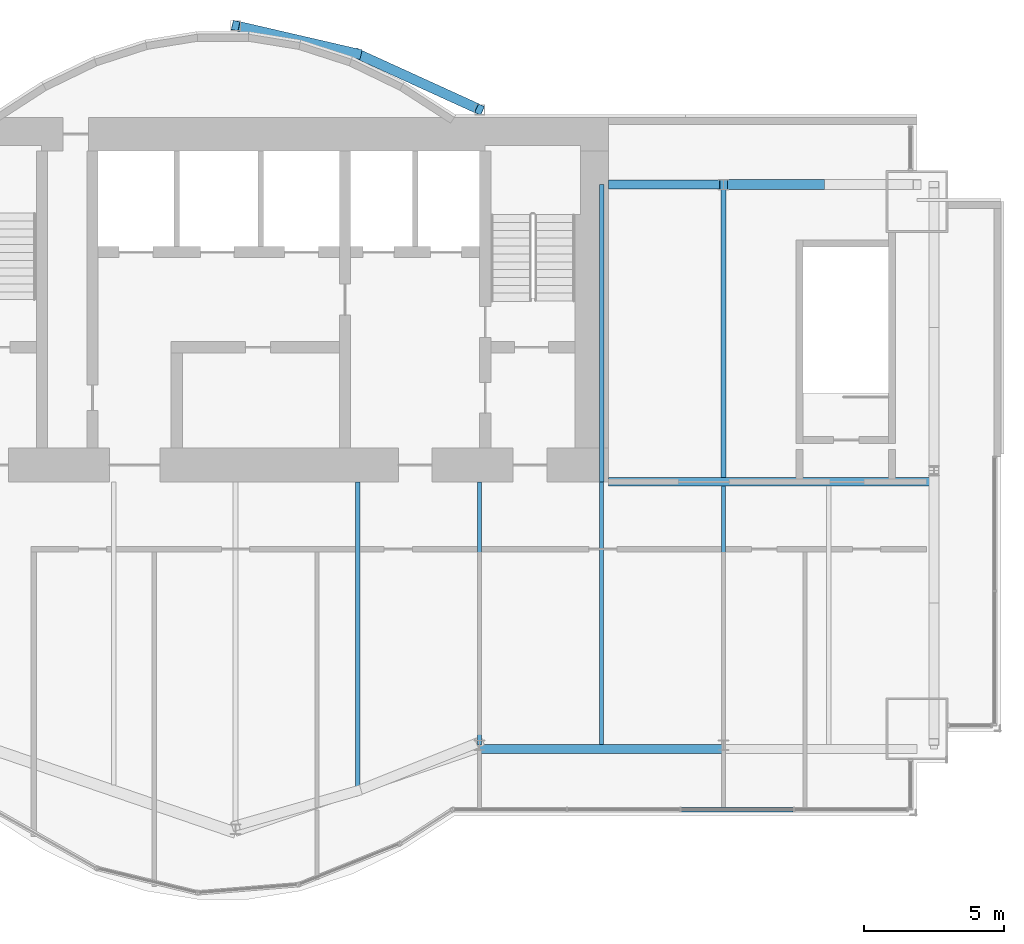
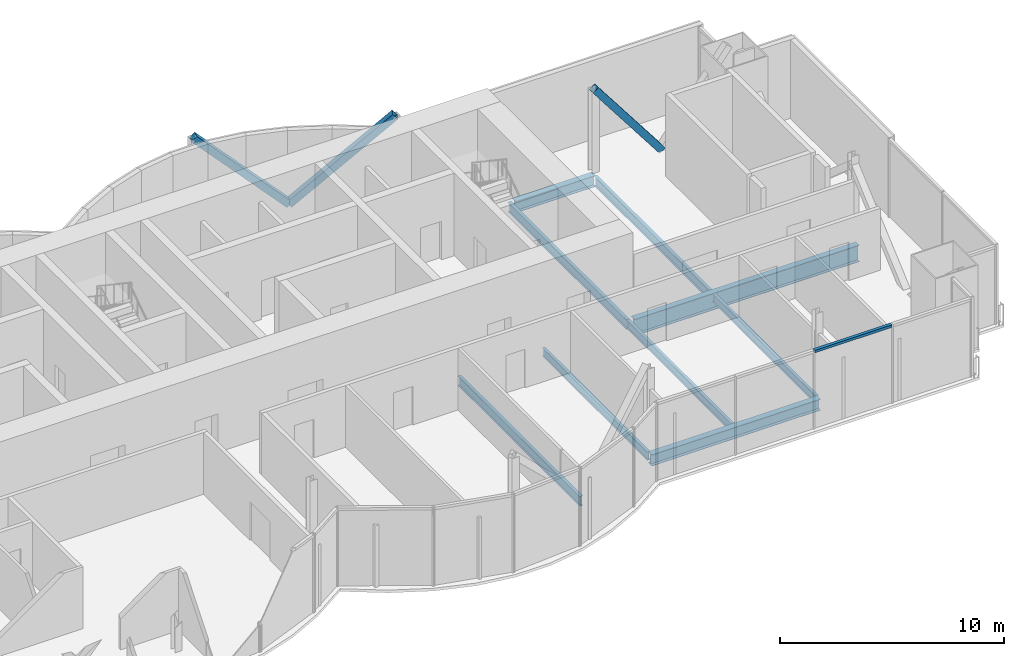
# One storey, part 7 of 16: 9 beams, 4 members, 1 element without a shape of its own.
"""IFC4 building model written with IfcOpenShell, lengths in metres."""

from ifc_helpers import new_model, si_unit, direction, frame, origin, origin_2d, place, context, subcontext, project, spatial, rectangle, hollow_rectangle, i_section, extrude, material, material_profile, profile_set, type_object, element, aggregate, save


model = new_model("IFC4")

# Units and contexts
model_context = context("Model", 3, precision=1e-05, world=origin(), true_north=direction((0.0, 1.0)))
body_context = subcontext(model_context, "Body", "Model", "MODEL_VIEW")
ifc_project = project(units=[si_unit("LENGTHUNIT", "METRE"), si_unit("AREAUNIT", "SQUARE_METRE"), si_unit("VOLUMEUNIT", "CUBIC_METRE"), si_unit("PLANEANGLEUNIT", "RADIAN"), si_unit("MASSUNIT", "GRAM", prefix="KILO")], contexts=[model_context])

# Site, building, storey
site_placement = place(None, origin())
site = spatial("IfcSite", under=ifc_project, at=site_placement, CompositionType="ELEMENT")
building_placement = place(site_placement, origin())
building = spatial("IfcBuilding", under=site, at=building_placement, Name="Bicima Exchange Tower", CompositionType="ELEMENT")
storey_placement = place(building_placement, frame((0.0, 0.0, 338.0)))
storey = spatial("IfcBuildingStorey", under=building, at=storey_placement, Name="L76", CompositionType="ELEMENT", Elevation=338.0)

# Beams
ifc_material_1 = material(Name="Steel ASTM A992 Gr 50", Category="steel")
ifc_material_profile_1 = material_profile(ifc_material_1, i_section(OverallWidth=0.3046875, OverallDepth=0.911865234375, WebThickness=0.015869140625, FlangeThickness=0.02392578125, at=origin_2d()))
ifc_profile_set_1 = profile_set([ifc_material_profile_1], Name="Steel ASTM A992 Gr 50")
beam_type_1 = type_object("IfcBeamType", Name="Core-line girder W36x150", PredefinedType="BEAM", material=ifc_profile_set_1)
beam_1_placement = place(storey_placement, frame((22.0, -13.0, -0.60595703125), z_axis=(1.0, 0.0, 0.0), x_axis=(0.0, 1.0, 0.0)))
element("IfcBeam", 1, at=beam_1_placement, inside=storey, type_object=beam_type_1, Name="Core-line girder", PredefinedType="BEAM", context=body_context, shape_type="SweptSolid", body=[
    extrude(i_section(OverallWidth=0.3046875, OverallDepth=0.911865234375, WebThickness=0.015869140625, FlangeThickness=0.02392578125, at=origin_2d()), origin(), (0.0, 0.0, 1.0), 11.60009765625),
])
ifc_material_profile_2 = material_profile(ifc_material_1, i_section(OverallWidth=0.15283203125, OverallDepth=0.45458984375, WebThickness=0.008056640625, FlangeThickness=0.013427734375, at=origin_2d()))
ifc_profile_set_2 = profile_set([ifc_material_profile_2], Name="Steel ASTM A992 Gr 50")
beam_type_2 = type_object("IfcBeamType", Name="Floor beam W18x40", PredefinedType="JOIST", material=ifc_profile_set_2)
beam_2_placement = place(storey_placement, frame((17.39990234375, -13.0, -0.377197265625), z_axis=(0.0, -1.0, 0.0), x_axis=(1.0, 0.0, 0.0)))
element("IfcBeam", 2, at=beam_2_placement, inside=storey, type_object=beam_type_2, Name="Floor beam", PredefinedType="JOIST", context=body_context, shape_type="SweptSolid", body=[
    extrude(i_section(OverallWidth=0.15283203125, OverallDepth=0.45458984375, WebThickness=0.008056640625, FlangeThickness=0.013427734375, at=origin_2d()), origin(), (0.0, 0.0, 1.0), 9.384521484375),
])
beam_3_placement = place(storey_placement, frame((21.75, -13.0, -0.377197265625), z_axis=(0.0, -1.0, 0.0), x_axis=(1.0, 0.0, 0.0)))
element("IfcBeam", 3, at=beam_3_placement, inside=storey, type_object=beam_type_2, Name="Floor beam", PredefinedType="JOIST", context=body_context, shape_type="SweptSolid", body=[
    extrude(i_section(OverallWidth=0.15283203125, OverallDepth=0.45458984375, WebThickness=0.008056640625, FlangeThickness=0.013427734375, at=origin_2d()), origin(), (0.0, 0.0, 1.0), 9.357421875),
])
beam_4_placement = place(storey_placement, frame((26.10009765625, -13.15234375, -0.377197265625), z_axis=(0.0, -1.0, 0.0), x_axis=(1.0, 0.0, 0.0)))
element("IfcBeam", 4, at=beam_4_placement, inside=storey, type_object=beam_type_2, Name="Floor beam", PredefinedType="JOIST", context=body_context, shape_type="SweptSolid", body=[
    extrude(i_section(OverallWidth=0.15283203125, OverallDepth=0.45458984375, WebThickness=0.008056640625, FlangeThickness=0.013427734375, at=origin_2d()), origin(), (0.0, 0.0, 1.0), 9.205078125),
])
ifc_material_profile_3 = material_profile(ifc_material_1, i_section(OverallWidth=0.165771484375, OverallDepth=0.5283203125, WebThickness=0.009765625, FlangeThickness=0.013671875, at=origin_2d()))
ifc_profile_set_3 = profile_set([ifc_material_profile_3], Name="Steel ASTM A992 Gr 50")
beam_type_3 = type_object("IfcBeamType", Name="Floor beam W21x50", PredefinedType="JOIST", material=ifc_profile_set_3)
beam_5_placement = place(storey_placement, frame((13.050048828125, -13.0, -0.414306640625), z_axis=(0.0, -1.0, 0.0), x_axis=(1.0, 0.0, 0.0)))
element("IfcBeam", 5, at=beam_5_placement, inside=storey, type_object=beam_type_3, Name="Floor beam", PredefinedType="JOIST", context=body_context, shape_type="SweptSolid", body=[
    extrude(i_section(OverallWidth=0.165771484375, OverallDepth=0.5283203125, WebThickness=0.009765625, FlangeThickness=0.013671875, at=origin_2d()), origin(), (0.0, 0.0, 1.0), 10.8798828125),
])
beam_6_placement = place(storey_placement, frame((21.75, -2.39990234375, -0.414306640625), z_axis=(0.0, -1.0, 0.0), x_axis=(1.0, 0.0, 0.0)))
element("IfcBeam", 6, at=beam_6_placement, inside=storey, type_object=beam_type_3, Name="Floor beam", PredefinedType="JOIST", context=body_context, shape_type="SweptSolid", body=[
    extrude(i_section(OverallWidth=0.165771484375, OverallDepth=0.5283203125, WebThickness=0.009765625, FlangeThickness=0.013671875, at=origin_2d()), origin(), (0.0, 0.0, 1.0), 10.60009765625),
])
beam_7_placement = place(storey_placement, frame((26.10009765625, -2.5625, -0.414306640625), z_axis=(0.0, -1.0, 0.0), x_axis=(1.0, 0.0, 0.0)))
element("IfcBeam", 7, at=beam_7_placement, inside=storey, type_object=beam_type_3, Name="Floor beam", PredefinedType="JOIST", context=body_context, shape_type="SweptSolid", body=[
    extrude(i_section(OverallWidth=0.165771484375, OverallDepth=0.5283203125, WebThickness=0.009765625, FlangeThickness=0.013671875, at=origin_2d()), origin(), (0.0, 0.0, 1.0), 10.28515625),
])
ifc_material_profile_4 = material_profile(ifc_material_1, i_section(OverallWidth=0.3251953125, OverallDepth=0.612060546875, WebThickness=0.0126953125, FlangeThickness=0.01904296875, at=origin_2d()))
ifc_profile_set_4 = profile_set([ifc_material_profile_4], Name="Steel ASTM A992 Gr 50")
beam_type_4 = type_object("IfcBeamType", Name="Front girder W24x104", PredefinedType="BEAM", material=ifc_profile_set_4)
beam_8_placement = place(storey_placement, frame((17.39990234375, -22.52001953125, -0.4560546875), z_axis=(1.0, 0.0, 0.0), x_axis=(0.0, 1.0, 0.0)))
element("IfcBeam", 8, at=beam_8_placement, inside=storey, type_object=beam_type_4, Name="Front girder", PredefinedType="BEAM", context=body_context, shape_type="SweptSolid", body=[
    extrude(i_section(OverallWidth=0.3251953125, OverallDepth=0.612060546875, WebThickness=0.0126953125, FlangeThickness=0.01904296875, at=origin_2d()), origin(), (0.0, 0.0, 1.0), 8.7001953125),
])

# Curtain wall, member
ifc_material_2 = material(Name="Anodised bronze aluminium", Category="aluminium")
curtain_wall_type = type_object("IfcCurtainWallType", Name="Front glass wall", PredefinedType="NOTDEFINED", material=ifc_material_2)
curtain_wall_placement = place(storey_placement, origin())
curtain_wall = element("IfcCurtainWall", 9, at=curtain_wall_placement, inside=storey, type_object=curtain_wall_type, Name="Front glass wall L76 run 16", PredefinedType="NOTDEFINED")
ifc_material_profile_5 = material_profile(ifc_material_2, rectangle(XDim=0.159912109375, YDim=0.139892578125, at=origin_2d()))
ifc_profile_set_5 = profile_set([ifc_material_profile_5], Name="Anodised bronze aluminium")
member_type_1 = type_object("IfcMemberType", Name="Front glass wall transom 140 x 160", PredefinedType="USERDEFINED", material=ifc_profile_set_5)
member_1_placement = place(storey_placement, frame((24.591064453125, -24.68994140625, 4.22998046875), z_axis=(1.0, 0.0, 0.0), x_axis=(0.0, 1.0, 0.0)))
member_1 = element("IfcMember", 10, at=member_1_placement, type_object=member_type_1, Name="Front glass wall transom 3.1", ObjectType="TRANSOM", PredefinedType="USERDEFINED", context=body_context, shape_type="SweptSolid", body=[
    extrude(rectangle(XDim=0.159912109375, YDim=0.139892578125, at=origin_2d()), origin(), (0.0, 0.0, 1.0), 3.989501953125),
])
aggregate(curtain_wall, [member_1])

# Members
ifc_material_3 = material(Name="Steel ASTM A572 Gr 50", Category="steel")
ifc_material_profile_6 = material_profile(ifc_material_3, hollow_rectangle(XDim=0.355712890625, YDim=0.355712890625, WallThickness=0.01171875, at=origin_2d()))
ifc_profile_set_6 = profile_set([ifc_material_profile_6], Name="Steel ASTM A572 Gr 50")
member_type_2 = type_object("IfcMemberType", Name="Mega brace HSS14x14x1/2", PredefinedType="BRACE", material=ifc_profile_set_6)
member_2_placement = place(storey_placement, frame((13.050048828125, 2.262451171875, 0.0), z_axis=(0.662507516739, -0.302231638101, 0.685375683254), x_axis=(0.415045223819, 0.909800781592, 0.0)))
element("IfcMember", 11, at=member_2_placement, inside=storey, type_object=member_type_2, Name="Mega brace rexo", PredefinedType="BRACE", context=body_context, shape_type="SweptSolid", body=[
    extrude(hollow_rectangle(XDim=0.355712890625, YDim=0.355712890625, WallThickness=0.01171875, at=origin_2d()), origin(), (0.0, 0.0, 1.0), 6.565673828125),
])
member_3_placement = place(storey_placement, frame((13.050048828125, 2.262451171875, 0.0), z_axis=(-0.686212303743, 0.158786245837, 0.709858860848), x_axis=(-0.225438503722, -0.974257399787, 0.0)))
element("IfcMember", 12, at=member_3_placement, inside=storey, type_object=member_type_2, Name="Mega brace rexo", PredefinedType="BRACE", context=body_context, shape_type="SweptSolid", body=[
    extrude(hollow_rectangle(XDim=0.355712890625, YDim=0.355712890625, WallThickness=0.01171875, at=origin_2d()), origin(), (0.0, 0.0, 1.0), 6.33935546875),
])
member_4_placement = place(storey_placement, frame((29.550048828125, -2.39990234375, 0.0), z_axis=(-0.608426120198, 0.0, 0.793610519248), x_axis=(0.0, -1.0, 0.0)))
element("IfcMember", 13, at=member_4_placement, inside=storey, type_object=member_type_2, Name="Mega brace rear", PredefinedType="BRACE", context=body_context, shape_type="SweptSolid", body=[
    extrude(hollow_rectangle(XDim=0.355712890625, YDim=0.355712890625, WallThickness=0.01171875, at=origin_2d()), origin(), (0.0, 0.0, 1.0), 5.670166015625),
])

# Beam
beam_type_5 = type_object("IfcBeamType", Name="Rear girder W24x104", PredefinedType="BEAM", material=ifc_profile_set_4)
beam_9_placement = place(storey_placement, frame((22.0, -2.39990234375, -0.4560546875), z_axis=(1.0, 0.0, 0.0), x_axis=(0.0, 1.0, 0.0)))
element("IfcBeam", 14, at=beam_9_placement, inside=storey, type_object=beam_type_5, Name="Rear girder", PredefinedType="BEAM", context=body_context, shape_type="SweptSolid", body=[
    extrude(i_section(OverallWidth=0.3251953125, OverallDepth=0.612060546875, WebThickness=0.0126953125, FlangeThickness=0.01904296875, at=origin_2d()), origin(), (0.0, 0.0, 1.0), 4.10009765625),
])

save(model, "model.ifc")
